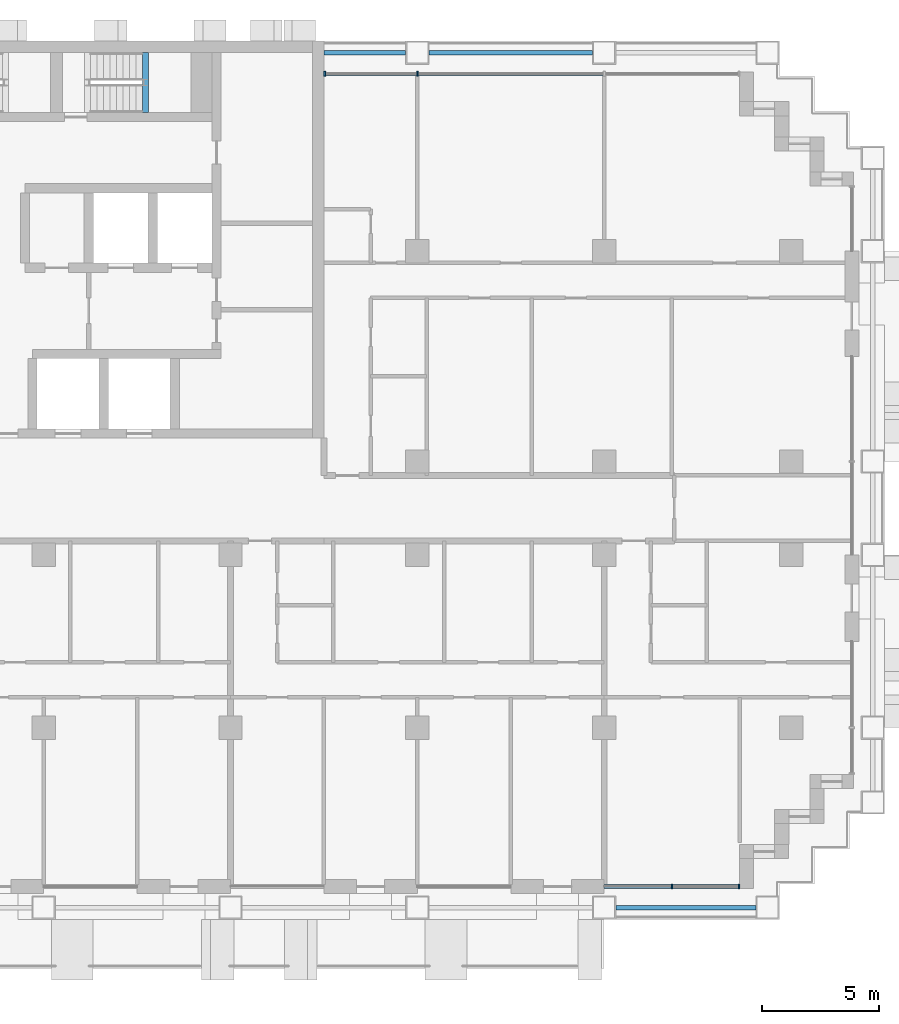
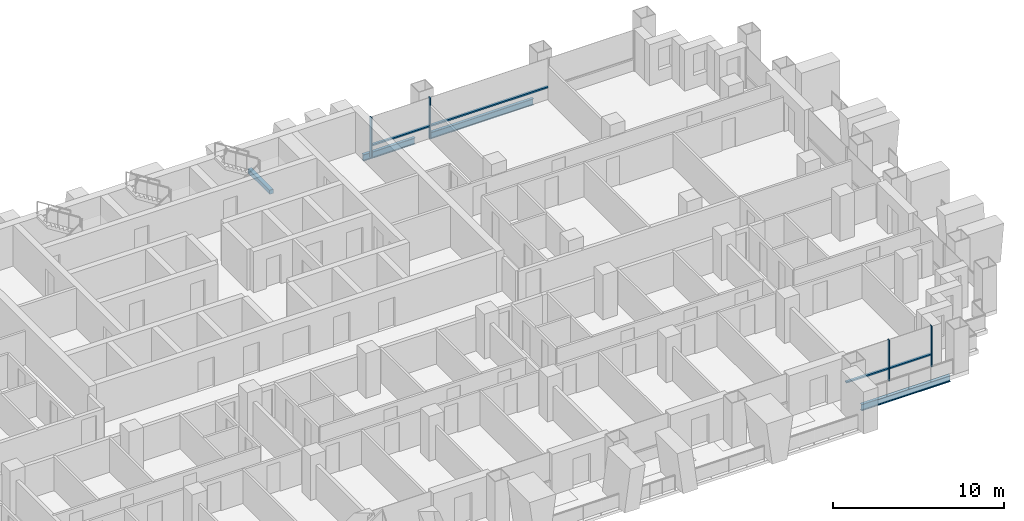
# One storey, part 5 of 19: 8 members, 4 beams, 2 elements without a shape of their own.
"""IFC4 building model written with IfcOpenShell, lengths in metres."""

from ifc_helpers import new_model, si_unit, direction, frame, origin, origin_2d, place, context, subcontext, project, spatial, rectangle, i_section, extrude, material, material_profile, profile_set, type_object, element, aggregate, save


model = new_model("IFC4")

# Units and contexts
model_context = context("Model", 3, precision=1e-05, world=origin(), true_north=direction((0.0, 1.0)))
body_context = subcontext(model_context, "Body", "Model", "MODEL_VIEW")
ifc_project = project(units=[si_unit("LENGTHUNIT", "METRE"), si_unit("AREAUNIT", "SQUARE_METRE"), si_unit("VOLUMEUNIT", "CUBIC_METRE"), si_unit("PLANEANGLEUNIT", "RADIAN"), si_unit("MASSUNIT", "GRAM", prefix="KILO")], contexts=[model_context])

# Site, building, storey
site_placement = place(None, origin())
site = spatial("IfcSite", under=ifc_project, at=site_placement, CompositionType="ELEMENT")
building_placement = place(site_placement, origin())
building = spatial("IfcBuilding", under=site, at=building_placement, Name="Vidyagriha Tower", CompositionType="ELEMENT")
storey_placement = place(building_placement, frame((0.0, 0.0, 57.60009765625)))
storey = spatial("IfcBuildingStorey", under=building, at=storey_placement, Name="L15", CompositionType="ELEMENT", Elevation=57.60009765625)

# Beams
ifc_material_1 = material(Name="Steel ASTM A992 Grade 50", Category="steel")
ifc_material_profile_1 = material_profile(ifc_material_1, i_section(OverallWidth=0.19189453125, OverallDepth=0.46240234375, WebThickness=0.010498046875, FlangeThickness=0.017578125, at=origin_2d()), Name="W18X60")
ifc_profile_set_1 = profile_set([ifc_material_profile_1], Name="Steel ASTM A992 Grade 50")
beam_type_1 = type_object("IfcBeamType", Name="Edge beam W18X60", PredefinedType="SPANDREL", material=ifc_profile_set_1)
beam_1_placement = place(storey_placement, frame((26.5, -17.10009765625, -0.51123046875), z_axis=(1.0, 0.0, 0.0), x_axis=(0.0, 1.0, 0.0)))
element("IfcBeam", 1, at=beam_1_placement, inside=storey, type_object=beam_type_1, Name="st-beam-L15-S09", PredefinedType="SPANDREL", context=body_context, shape_type="SweptSolid", body=[
    extrude(i_section(OverallWidth=0.19189453125, OverallDepth=0.46240234375, WebThickness=0.010498046875, FlangeThickness=0.017578125, at=origin_2d()), origin(), (0.0, 0.0, 1.0), 6.0),
])
beam_2_placement = place(storey_placement, frame((18.5, 19.5, -0.51123046875), z_axis=(1.0, 0.0, 0.0), x_axis=(0.0, 1.0, 0.0)))
element("IfcBeam", 2, at=beam_2_placement, inside=storey, type_object=beam_type_1, Name="st-beam-L15-NE22", PredefinedType="SPANDREL", context=body_context, shape_type="SweptSolid", body=[
    extrude(i_section(OverallWidth=0.19189453125, OverallDepth=0.46240234375, WebThickness=0.010498046875, FlangeThickness=0.017578125, at=origin_2d()), origin(), (0.0, 0.0, 1.0), 7.0),
])
beam_3_placement = place(storey_placement, frame((14.0, 19.5, -0.51123046875), z_axis=(1.0, 0.0, 0.0), x_axis=(0.0, 1.0, 0.0)))
element("IfcBeam", 3, at=beam_3_placement, inside=storey, type_object=beam_type_1, Name="st-beam-L15-NC25", PredefinedType="SPANDREL", context=body_context, shape_type="SweptSolid", body=[
    extrude(i_section(OverallWidth=0.19189453125, OverallDepth=0.46240234375, WebThickness=0.010498046875, FlangeThickness=0.017578125, at=origin_2d()), origin(), (0.0, 0.0, 1.0), 3.5),
])

# Curtain wall, members
ifc_material_2 = material(Name="Aluminium and glass curtain wall", Category="aluminium")
curtain_wall_type = type_object("IfcCurtainWallType", Name="Dwelling skin unitised curtain wall", PredefinedType="USERDEFINED", material=ifc_material_2)
curtain_wall_1_placement = place(storey_placement, origin())
curtain_wall_1 = element("IfcCurtainWall", 4, at=curtain_wall_1_placement, inside=storey, type_object=curtain_wall_type, Name="CW1 dwelling skin", ObjectType="UNITISED", PredefinedType="USERDEFINED")
ifc_material_3 = material(Name="Aluminium black anodised", Category="aluminium")
ifc_material_profile_2 = material_profile(ifc_material_3, rectangle(XDim=0.199951171875, YDim=0.070068359375, at=origin_2d()), Name="Mullion 70x200 black aluminium")
ifc_profile_set_2 = profile_set([ifc_material_profile_2], Name="Aluminium black anodised")
member_type_1 = type_object("IfcMemberType", Name="Mullion 70x200 black aluminium", PredefinedType="MULLION", material=ifc_profile_set_2)
member_1_placement = place(storey_placement, frame((18.0, 18.60009765625, 0.0), z_axis=(0.0, 0.0, 1.0), x_axis=(0.0, -1.0, 0.0)))
member_1 = element("IfcMember", 5, at=member_1_placement, type_object=member_type_1, Name="CW1 mullion 3", PredefinedType="MULLION", context=body_context, shape_type="SweptSolid", body=[
    extrude(rectangle(XDim=0.199951171875, YDim=0.070068359375, at=origin_2d()), origin(), (0.0, 0.0, 1.0), 2.919921875),
])
member_2_placement = place(storey_placement, frame((14.034912109375, 18.60009765625, 0.0), z_axis=(0.0, 0.0, 1.0), x_axis=(0.0, -1.0, 0.0)))
member_2 = element("IfcMember", 6, at=member_2_placement, type_object=member_type_1, Name="CW1 mullion 4", PredefinedType="MULLION", context=body_context, shape_type="SweptSolid", body=[
    extrude(rectangle(XDim=0.199951171875, YDim=0.070068359375, at=origin_2d()), origin(), (0.0, 0.0, 1.0), 2.919921875),
])

curtain_wall_2_placement = place(storey_placement, origin())
curtain_wall_2 = element("IfcCurtainWall", 7, at=curtain_wall_2_placement, inside=storey, type_object=curtain_wall_type, Name="CW1 dwelling skin", ObjectType="UNITISED", PredefinedType="USERDEFINED")
member_3_placement = place(storey_placement, frame((28.89990234375, -16.199951171875, 0.0), z_axis=(0.0, 0.0, 1.0), x_axis=(0.0, 1.0, 0.0)))
member_3 = element("IfcMember", 8, at=member_3_placement, type_object=member_type_1, Name="CW1 mullion 2", PredefinedType="MULLION", context=body_context, shape_type="SweptSolid", body=[
    extrude(rectangle(XDim=0.199951171875, YDim=0.070068359375, at=origin_2d()), origin(), (0.0, 0.0, 1.0), 2.919921875),
])
member_4_placement = place(storey_placement, frame((31.764892578125, -16.199951171875, 0.0), z_axis=(0.0, 0.0, 1.0), x_axis=(0.0, 1.0, 0.0)))
member_4 = element("IfcMember", 9, at=member_4_placement, type_object=member_type_1, Name="CW1 mullion 3", PredefinedType="MULLION", context=body_context, shape_type="SweptSolid", body=[
    extrude(rectangle(XDim=0.199951171875, YDim=0.070068359375, at=origin_2d()), origin(), (0.0, 0.0, 1.0), 2.919921875),
])

# Beam
ifc_material_4 = material(Name="Concrete C40/50", Category="concrete")
ifc_material_profile_3 = material_profile(ifc_material_4, rectangle(XDim=0.25, YDim=0.300048828125, at=origin_2d()), Name="Stair landing bearing beam 250x300")
ifc_profile_set_3 = profile_set([ifc_material_profile_3], Name="Concrete C40/50")
beam_type_2 = type_object("IfcBeamType", Name="Stair landing bearing beam 250x300", PredefinedType="BEAM", material=ifc_profile_set_3)
beam_4_placement = place(storey_placement, frame((6.364990234375, 16.949951171875, 1.25), z_axis=(0.0, 1.0, 0.0), x_axis=(-1.0, 0.0, 0.0)))
element("IfcBeam", 10, at=beam_4_placement, inside=storey, type_object=beam_type_2, Name="ST3 landing bearing beam L15", PredefinedType="BEAM", context=body_context, shape_type="SweptSolid", body=[
    extrude(rectangle(XDim=0.25, YDim=0.300048828125, at=origin_2d()), origin(), (0.0, 0.0, 1.0), 2.550048828125),
])

# Member
ifc_material_5 = material(Name="Aluminium black anodised", Category="aluminium")
ifc_material_profile_4 = material_profile(ifc_material_5, rectangle(XDim=0.159912109375, YDim=0.10009765625, at=origin_2d()), Name="Transom 100x160 black aluminium")
ifc_profile_set_4 = profile_set([ifc_material_profile_4], Name="Aluminium black anodised")
member_type_2 = type_object("IfcMemberType", Name="Transom 100x160 black aluminium", PredefinedType="USERDEFINED", material=ifc_profile_set_4)
member_5_placement = place(storey_placement, frame((25.965087890625, 18.60009765625, 0.89990234375), z_axis=(-1.0, 0.0, 0.0), x_axis=(0.0, -1.0, 0.0)))
member_5 = element("IfcMember", 11, at=member_5_placement, type_object=member_type_2, Name="CW1 transom 2.1", ObjectType="TRANSOM", PredefinedType="USERDEFINED", context=body_context, shape_type="SweptSolid", body=[
    extrude(rectangle(XDim=0.159912109375, YDim=0.10009765625, at=origin_2d()), origin(), (0.0, 0.0, 1.0), 7.93017578125),
])

member_6_placement = place(storey_placement, frame((17.965087890625, 18.60009765625, 0.89990234375), z_axis=(-1.0, 0.0, 0.0), x_axis=(0.0, -1.0, 0.0)))
member_6 = element("IfcMember", 12, at=member_6_placement, type_object=member_type_2, Name="CW1 transom 3.1", ObjectType="TRANSOM", PredefinedType="USERDEFINED", context=body_context, shape_type="SweptSolid", body=[
    extrude(rectangle(XDim=0.159912109375, YDim=0.10009765625, at=origin_2d()), origin(), (0.0, 0.0, 1.0), 3.89501953125),
])

aggregate(curtain_wall_1, [member_1, member_2, member_5, member_6])

member_7_placement = place(storey_placement, frame((26.0, -16.199951171875, 0.89990234375), z_axis=(1.0, 0.0, 0.0), x_axis=(0.0, 1.0, 0.0)))
member_7 = element("IfcMember", 13, at=member_7_placement, type_object=member_type_2, Name="CW1 transom 1.1", ObjectType="TRANSOM", PredefinedType="USERDEFINED", context=body_context, shape_type="SweptSolid", body=[
    extrude(rectangle(XDim=0.159912109375, YDim=0.10009765625, at=origin_2d()), origin(), (0.0, 0.0, 1.0), 2.864990234375),
])

member_8_placement = place(storey_placement, frame((28.93505859375, -16.199951171875, 0.89990234375), z_axis=(1.0, 0.0, 0.0), x_axis=(0.0, 1.0, 0.0)))
member_8 = element("IfcMember", 14, at=member_8_placement, type_object=member_type_2, Name="CW1 transom 2.1", ObjectType="TRANSOM", PredefinedType="USERDEFINED", context=body_context, shape_type="SweptSolid", body=[
    extrude(rectangle(XDim=0.159912109375, YDim=0.10009765625, at=origin_2d()), origin(), (0.0, 0.0, 1.0), 2.794921875),
])

aggregate(curtain_wall_2, [member_3, member_4, member_7, member_8])

save(model, "model.ifc")
